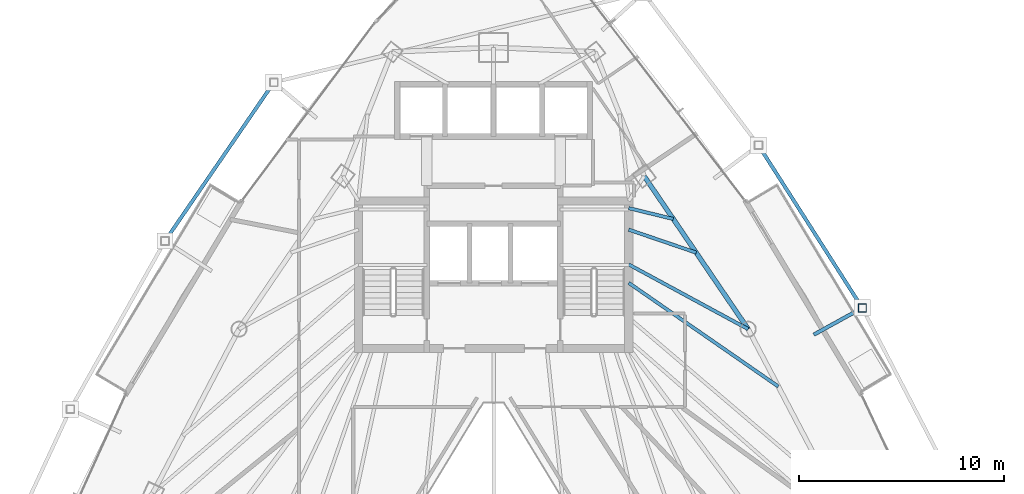
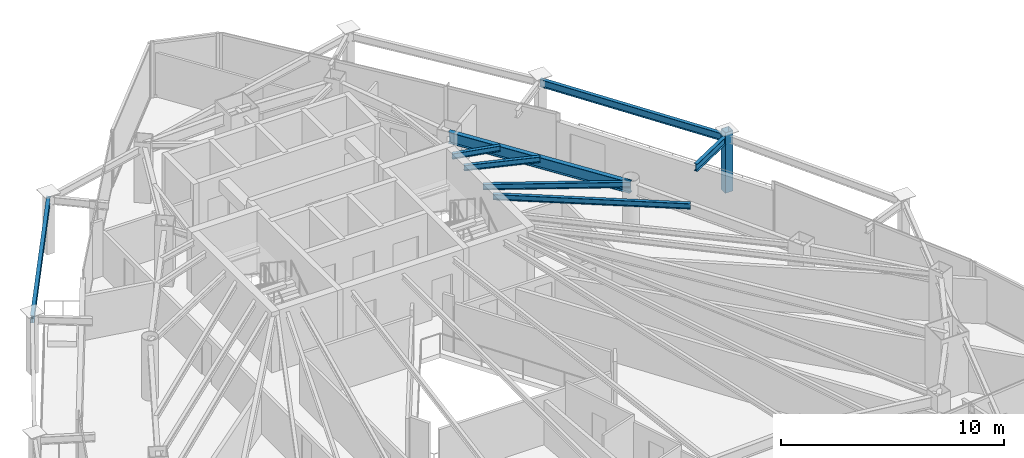
# One storey, part 17 of 29: 8 beams, 1 member.
"""IFC4 building model written with IfcOpenShell, lengths in metres."""

from ifc_helpers import new_model, si_unit, direction, frame, origin, origin_2d, place, context, subcontext, project, spatial, hollow_rectangle, i_section, extrude, material, material_profile, profile_set, type_object, element, save


model = new_model("IFC4")

# Units and contexts
model_context = context("Model", 3, precision=1e-05, world=origin(), true_north=direction((0.0, 1.0)))
body_context = subcontext(model_context, "Body", "Model", "MODEL_VIEW")
ifc_project = project(units=[si_unit("LENGTHUNIT", "METRE"), si_unit("AREAUNIT", "SQUARE_METRE"), si_unit("VOLUMEUNIT", "CUBIC_METRE"), si_unit("PLANEANGLEUNIT", "RADIAN"), si_unit("MASSUNIT", "GRAM", prefix="KILO")], contexts=[model_context])

# Site, building, storey
site_placement = place(None, origin())
site = spatial("IfcSite", under=ifc_project, at=site_placement, CompositionType="ELEMENT")
building_placement = place(site_placement, origin())
building = spatial("IfcBuilding", under=site, at=building_placement, Name="Orvanel Arch Residences", CompositionType="ELEMENT")
storey_placement = place(building_placement, frame((0.0, 0.0, 167.14990234375)))
storey = spatial("IfcBuildingStorey", under=building, at=storey_placement, Name="L47", CompositionType="ELEMENT", Elevation=167.14990234375)

# Beams
ifc_material_1 = material(Name="Structural steel AS/NZS 3679.1 Grade 300 (300 MPa)", Category="steel")
ifc_material_profile_1 = material_profile(ifc_material_1, i_section(OverallWidth=0.1650390625, OverallDepth=0.303955078125, WebThickness=0.006103515625, FlangeThickness=0.01025390625, at=origin_2d()), Name="310UB40.4")
ifc_profile_set_1 = profile_set([ifc_material_profile_1], Name="Structural steel AS/NZS 3679.1 Grade 300 (300 MPa)")
beam_type_1 = type_object("IfcBeamType", Name="BJ-310UB", PredefinedType="JOIST", material=ifc_profile_set_1)
beam_1_placement = place(storey_placement, frame((39.60009765625, 30.800048828125, 2.908203125), z_axis=(0.87925534649, -0.476350748576, 0.0), x_axis=(0.476350748576, 0.87925534649, 0.0)))
element("IfcBeam", 1, at=beam_1_placement, inside=storey, type_object=beam_type_1, Name="L47 NE Wing Floor Joist", PredefinedType="JOIST", context=body_context, shape_type="SweptSolid", body=[
    extrude(i_section(OverallWidth=0.1650390625, OverallDepth=0.303955078125, WebThickness=0.006103515625, FlangeThickness=0.01025390625, at=origin_2d()), origin(), (0.0, 0.0, 1.0), 6.631591796875),
])
beam_2_placement = place(storey_placement, frame((39.60009765625, 32.5, 2.908203125), z_axis=(0.9464126781, -0.322959815969, 0.0), x_axis=(0.322959815969, 0.9464126781, 0.0)))
element("IfcBeam", 2, at=beam_2_placement, inside=storey, type_object=beam_type_1, Name="L47 ENE Wing Floor Joist", PredefinedType="JOIST", context=body_context, shape_type="SweptSolid", body=[
    extrude(i_section(OverallWidth=0.1650390625, OverallDepth=0.303955078125, WebThickness=0.006103515625, FlangeThickness=0.01025390625, at=origin_2d()), origin(), (0.0, 0.0, 1.0), 3.477294921875),
])
beam_3_placement = place(storey_placement, frame((39.60009765625, 29.89990234375, 2.908203125), z_axis=(0.822002180325, -0.569484341787, 0.0), x_axis=(0.569484341787, 0.822002180325, 0.0)))
element("IfcBeam", 3, at=beam_3_placement, inside=storey, type_object=beam_type_1, Name="L47 CTE Wing Floor Joist", PredefinedType="JOIST", context=body_context, shape_type="SweptSolid", body=[
    extrude(i_section(OverallWidth=0.1650390625, OverallDepth=0.303955078125, WebThickness=0.006103515625, FlangeThickness=0.01025390625, at=origin_2d()), origin(), (0.0, 0.0, 1.0), 8.88330078125),
])
beam_4_placement = place(storey_placement, frame((39.60009765625, 33.550048828125, 2.908203125), z_axis=(0.971638471014, -0.236471312521, 0.0), x_axis=(0.236471312521, 0.971638471014, 0.0)))
element("IfcBeam", 4, at=beam_4_placement, inside=storey, type_object=beam_type_1, Name="L47 JADD4 Wing Floor Joist", PredefinedType="JOIST", context=body_context, shape_type="SweptSolid", body=[
    extrude(i_section(OverallWidth=0.1650390625, OverallDepth=0.303955078125, WebThickness=0.006103515625, FlangeThickness=0.01025390625, at=origin_2d()), origin(), (0.0, 0.0, 1.0), 2.2373046875),
])
ifc_material_profile_2 = material_profile(ifc_material_1, i_section(OverallWidth=0.177978515625, OverallDepth=0.406005859375, WebThickness=0.0078125, FlangeThickness=0.0126953125, at=origin_2d()), Name="410UB59.7")
ifc_profile_set_2 = profile_set([ifc_material_profile_2], Name="Structural steel AS/NZS 3679.1 Grade 300 (300 MPa)")
beam_type_2 = type_object("IfcBeamType", Name="OB-410UB-EXT", PredefinedType="SPANDREL", material=ifc_profile_set_2)
beam_5_placement = place(storey_placement, frame((22.27392578125, 39.69189453125, 2.857177734375), z_axis=(-0.565878877775, -0.824488384205, 0.0), x_axis=(0.824488384205, -0.565878877775, 0.0)))
element("IfcBeam", 5, at=beam_5_placement, inside=storey, type_object=beam_type_2, Name="L47 Outer Perimeter Floor Ring Beam 01", PredefinedType="SPANDREL", context=body_context, shape_type="SweptSolid", body=[
    extrude(i_section(OverallWidth=0.177978515625, OverallDepth=0.406005859375, WebThickness=0.0078125, FlangeThickness=0.0126953125, at=origin_2d()), origin(), (0.0, 0.0, 1.0), 9.392333984375),
])
beam_6_placement = place(storey_placement, frame((48.631103515625, 27.37109375, 2.857177734375), z_axis=(0.875523742399, 0.48317509921, 0.0), x_axis=(-0.48317509921, 0.875523742399, 0.0)))
element("IfcBeam", 6, at=beam_6_placement, inside=storey, type_object=beam_type_2, Name="L47 Outer Frame Radial Tie Beam 10", PredefinedType="SPANDREL", context=body_context, shape_type="SweptSolid", body=[
    extrude(i_section(OverallWidth=0.177978515625, OverallDepth=0.406005859375, WebThickness=0.0078125, FlangeThickness=0.0126953125, at=origin_2d()), origin(), (0.0, 0.0, 1.0), 2.706787109375),
])
beam_7_placement = place(storey_placement, frame((51.0009765625, 28.678955078125, 2.857177734375), z_axis=(-0.538014699336, 0.842935456188, 0.0), x_axis=(-0.842935456188, -0.538014699336, 0.0)))
element("IfcBeam", 7, at=beam_7_placement, inside=storey, type_object=beam_type_2, Name="L47 Outer Perimeter Floor Ring Beam 10", PredefinedType="SPANDREL", context=body_context, shape_type="SweptSolid", body=[
    extrude(i_section(OverallWidth=0.177978515625, OverallDepth=0.406005859375, WebThickness=0.0078125, FlangeThickness=0.0126953125, at=origin_2d()), origin(), (0.0, 0.0, 1.0), 9.425537109375),
])
ifc_material_profile_3 = material_profile(ifc_material_1, i_section(OverallWidth=0.22900390625, OverallDepth=0.612060546875, WebThickness=0.011962890625, FlangeThickness=0.01953125, at=origin_2d()), Name="610UB125")
ifc_profile_set_3 = profile_set([ifc_material_profile_3], Name="Structural steel AS/NZS 3679.1 Grade 300 (300 MPa)")
beam_type_3 = type_object("IfcBeamType", Name="SP-610UB", PredefinedType="SPANDREL", material=ifc_profile_set_3)
beam_8_placement = place(storey_placement, frame((45.430908203125, 27.64111328125, 2.754150390625), z_axis=(-0.562154793153, 0.827032035978, 0.0), x_axis=(-0.827032035978, -0.562154793153, 0.0)))
element("IfcBeam", 8, at=beam_8_placement, inside=storey, type_object=beam_type_3, Name="L47 Perimeter Spandrel Beam 12", PredefinedType="SPANDREL", context=body_context, shape_type="SweptSolid", body=[
    extrude(i_section(OverallWidth=0.22900390625, OverallDepth=0.612060546875, WebThickness=0.011962890625, FlangeThickness=0.01953125, at=origin_2d()), origin(), (0.0, 0.0, 1.0), 9.03466796875),
])

# Member
ifc_material_2 = material(Name="Structural steel AS/NZS 1163 C450L0 (Grade 450)", Category="steel")
ifc_material_profile_4 = material_profile(ifc_material_2, hollow_rectangle(XDim=0.39990234375, YDim=0.39990234375, WallThickness=0.01611328125, at=origin_2d()), Name="SHS400x400x16")
ifc_profile_set_4 = profile_set([ifc_material_profile_4], Name="Structural steel AS/NZS 1163 C450L0 (Grade 450)")
member_type = type_object("IfcMemberType", Name="ST-400SHS-EXT", PredefinedType="STRUT", material=ifc_profile_set_4)
member_placement = place(storey_placement, frame((51.0009765625, 28.678955078125, 0.0), z_axis=(0.0, 0.0, 1.0), x_axis=(1.0, 0.0, 0.0)))
element("IfcMember", 9, at=member_placement, inside=storey, type_object=member_type, Name="L47 Outer Perimeter Frame Post 10", PredefinedType="STRUT", context=body_context, shape_type="SweptSolid", body=[
    extrude(hollow_rectangle(XDim=0.39990234375, YDim=0.39990234375, WallThickness=0.01611328125, at=origin_2d()), origin(), (0.0, 0.0, 1.0), 3.300048828125),
])

save(model, "model.ifc")
